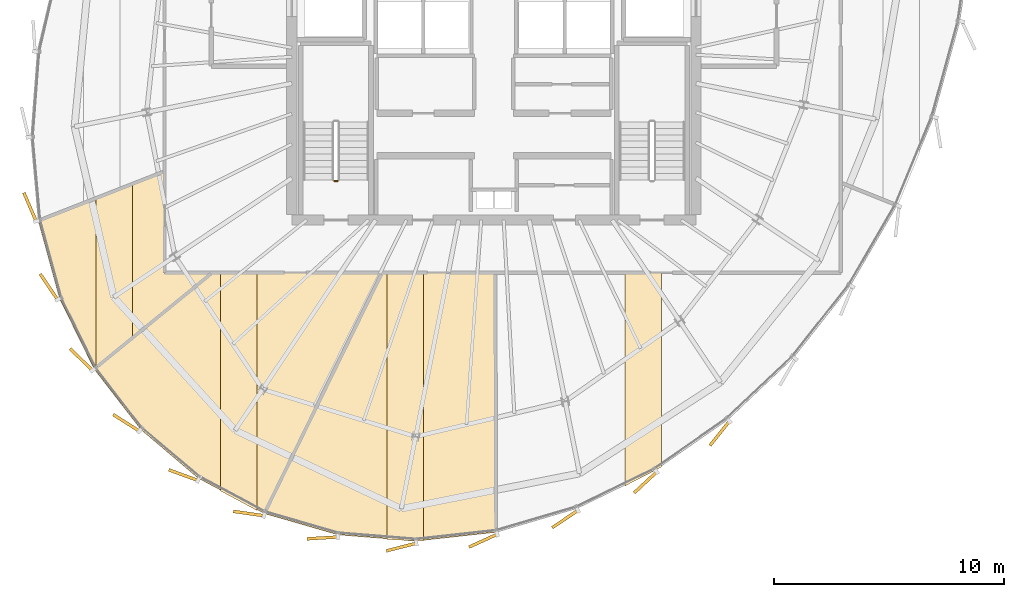
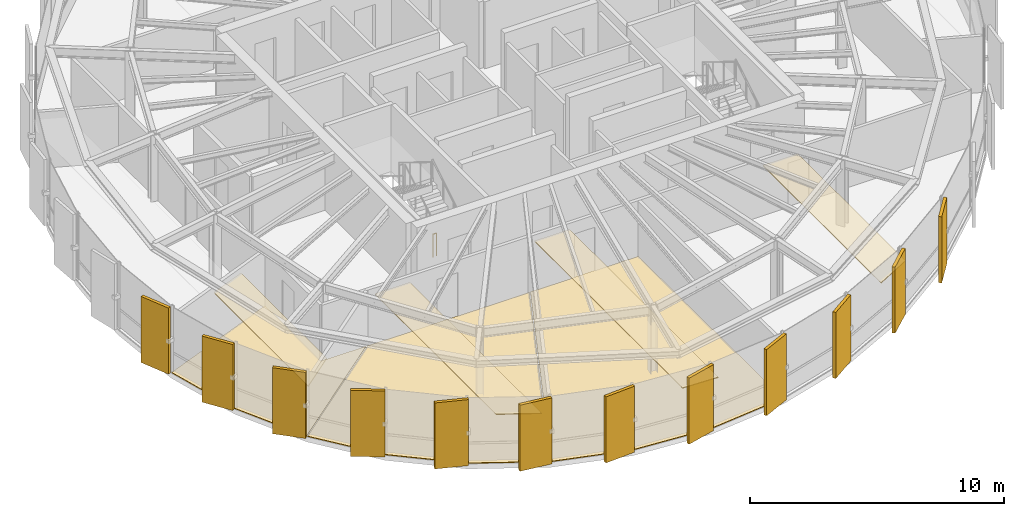
# One storey, part 31 of 34: 19 coverings, 1 railing.
"""IFC4 building model written with IfcOpenShell, lengths in metres."""

from ifc_helpers import new_model, si_unit, direction, frame, origin, origin_2d, place, context, subcontext, project, spatial, polyline, rectangle, circle, outline, extrude, source, transform, mapped, material, layer, layer_set, type_object, element, save


model = new_model("IFC4")

# Units and contexts
model_context = context("Model", 3, precision=1e-05, world=origin(), true_north=direction((0.0, 1.0)))
body_context = subcontext(model_context, "Body", "Model", "MODEL_VIEW")
ifc_project = project(units=[si_unit("LENGTHUNIT", "METRE"), si_unit("AREAUNIT", "SQUARE_METRE"), si_unit("VOLUMEUNIT", "CUBIC_METRE"), si_unit("PLANEANGLEUNIT", "RADIAN"), si_unit("MASSUNIT", "GRAM", prefix="KILO"), si_unit("THERMODYNAMICTEMPERATUREUNIT", "KELVIN")], contexts=[model_context])

# Site, building, storey
site_placement = place(None, origin())
site = spatial("IfcSite", under=ifc_project, at=site_placement, CompositionType="ELEMENT")
building_placement = place(site_placement, origin())
building = spatial("IfcBuilding", under=site, at=building_placement, Name="Kethvar Cultural Tower", CompositionType="ELEMENT")
storey_placement = place(building_placement, frame((0.0, 0.0, 259.449951171875)))
storey = spatial("IfcBuildingStorey", under=building, at=storey_placement, Name="L68", CompositionType="ELEMENT", Elevation=259.449951171875)

# Coverings
ifc_material_1 = material(Name="Acoustic Mineral Fibre Ceiling")
ifc_layer_1 = layer(ifc_material_1, 0.0400390625, Name="Acoustic Mineral Fibre Ceiling")
ifc_layer_set_1 = layer_set([ifc_layer_1], Name="Acoustic Mineral Fibre Ceiling (40 mm)")
covering_type_1 = type_object("IfcCoveringType", Name="CV-ACOUSTIC-CEIL", PredefinedType="CEILING", material=ifc_layer_set_1)
covering_1_placement = place(storey_placement, frame((0.0, 0.0, 2.340087890625)))
element("IfcCovering", 1, at=covering_1_placement, inside=storey, type_object=covering_type_1, Name="L68 Room 01 Acoustic Ceiling Panel", PredefinedType="CEILING", context=body_context, shape_type="SweptSolid", body=[
    extrude(outline(polyline([(31.06396484375, 21.693603515625), (31.06396484375, 14.946533203125), (29.473876953125, 13.650390625), (29.473876953125, 21.07421875), (31.06396484375, 21.693603515625)])), origin(), (0.0, 0.0, 1.0), 0.0400390625),
])
covering_2_placement = place(storey_placement, frame((0.0, 0.0, 2.340087890625)))
element("IfcCovering", 2, at=covering_2_placement, inside=storey, type_object=covering_type_1, Name="L68 Room 02 Acoustic Ceiling Panel", PredefinedType="CEILING", context=body_context, shape_type="SweptSolid", body=[
    extrude(outline(polyline([(36.496826171875, 17.826904296875), (36.496826171875, 7.450927734375), (34.90673828125, 8.300048828125), (34.90673828125, 17.826904296875), (36.496826171875, 17.826904296875)])), origin(), (0.0, 0.0, 1.0), 0.0400390625),
])
covering_3_placement = place(storey_placement, frame((0.0, 0.0, 2.340087890625)))
element("IfcCovering", 3, at=covering_3_placement, inside=storey, type_object=covering_type_1, Name="L68 Room 03 Acoustic Ceiling Panel", PredefinedType="CEILING", context=body_context, shape_type="SweptSolid", body=[
    extrude(outline(polyline([(43.744384765625, 6.12548828125), (42.154296875, 6.18994140625), (42.154296875, 17.826904296875), (43.744384765625, 17.826904296875), (43.744384765625, 6.12548828125)])), origin(), (0.0, 0.0, 1.0), 0.0400390625),
])
covering_4_placement = place(storey_placement, frame((0.0, 0.0, 2.340087890625)))
element("IfcCovering", 4, at=covering_4_placement, inside=storey, type_object=covering_type_1, Name="L68 Room 04 Acoustic Ceiling Panel", PredefinedType="CEILING", context=body_context, shape_type="SweptSolid", body=[
    extrude(outline(polyline([(54.105712890625, 9.360107421875), (52.515625, 8.52734375), (52.515625, 17.826904296875), (54.105712890625, 17.826904296875), (54.105712890625, 9.360107421875)])), origin(), (0.0, 0.0, 1.0), 0.0400390625),
])
ifc_material_2 = material(Name="Honed Warm Limestone", Category="masonry")
ifc_layer_2 = layer(ifc_material_2, 0.030029296875, Name="Honed Warm Limestone", Category="masonry")
ifc_layer_set_2 = layer_set([ifc_layer_2], Name="Honed Warm Limestone (30 mm)")
covering_type_2 = type_object("IfcCoveringType", Name="CV-STONE-FLOOR", PredefinedType="FLOORING", material=ifc_layer_set_2)
covering_5_placement = place(storey_placement, origin())
element("IfcCovering", 5, at=covering_5_placement, inside=storey, type_object=covering_type_2, Name="L68 Room 01 Floor Finish", PredefinedType="FLOORING", context=body_context, shape_type="SweptSolid", body=[
    extrude(outline(polyline([(27.897705078125, 16.67431640625), (26.972412109375, 20.05712890625), (32.43994140625, 22.186279296875), (32.44140625, 17.79931640625), (34.485107421875, 17.787109375), (29.391357421875, 13.634521484375), (27.897705078125, 16.67431640625)])), origin(), (0.0, 0.0, 1.0), 0.030029296875),
])
covering_6_placement = place(storey_placement, origin())
element("IfcCovering", 6, at=covering_6_placement, inside=storey, type_object=covering_type_2, Name="L68 Room 02 Floor Finish", PredefinedType="FLOORING", context=body_context, shape_type="SweptSolid", body=[
    extrude(outline(polyline([(33.932373046875, 8.865966796875), (31.43359375, 10.984619140625), (29.412109375, 13.60009765625), (34.54833984375, 17.787109375), (41.8994140625, 17.787109375), (36.8056640625, 7.331298828125), (33.932373046875, 8.865966796875)])), origin(), (0.0, 0.0, 1.0), 0.030029296875),
])
covering_7_placement = place(storey_placement, origin())
element("IfcCovering", 7, at=covering_7_placement, inside=storey, type_object=covering_type_2, Name="L68 Room 03 Floor Finish", PredefinedType="FLOORING", context=body_context, shape_type="SweptSolid", body=[
    extrude(outline(polyline([(46.89990234375, 6.514404296875), (43.413818359375, 6.12939453125), (40.014892578125, 6.40087890625), (36.843017578125, 7.31640625), (41.944091796875, 17.787109375), (46.83642578125, 17.787109375), (46.89990234375, 6.514404296875)])), origin(), (0.0, 0.0, 1.0), 0.030029296875),
])

# Railing
ifc_material_3 = material(Name="Steel S355J2", Category="steel")
railing_type = type_object("IfcRailingType", Name="RL-STAIR-GUARD", PredefinedType="BALUSTRADE", material=ifc_material_3)
railing_placement = place(storey_placement, frame((40.0, 21.800048828125, 0.0)))
element("IfcRailing", 8, at=railing_placement, inside=storey, type_object=railing_type, Name="L68 ST-01 stair guard 4", PredefinedType="BALUSTRADE", context=body_context, shape_type="SweptSolid", body=[
    extrude(circle(Radius=0.02392578125, at=origin_2d()), frame((0.0, 0.0, 1.09619140625), z_axis=(-1.0, 0.0, 0.0), x_axis=(0.0, -1.0, 0.0)), (0.0, 0.0, 1.0), 0.159912109375),
    extrude(circle(Radius=0.02099609375, at=origin_2d()), origin(), (0.0, 0.0, 1.0), 1.072021484375),
    extrude(circle(Radius=0.02099609375, at=origin_2d()), frame((-0.159912109375, 0.0, 0.0)), (0.0, 0.0, 1.0), 1.072021484375),
])

# Coverings
ifc_material_4 = material(Name="Extruded Architectural Terracotta", Category="masonry")
ifc_layer_3 = layer(ifc_material_4, 0.135009765625, Name="Extruded Architectural Terracotta", Category="masonry")
ifc_layer_set_3 = layer_set([ifc_layer_3], Name="Extruded Architectural Terracotta (135 mm)")
covering_type_3 = type_object("IfcCoveringType", Name="Terracotta Facade Fin FIN-03", PredefinedType="CLADDING", material=ifc_layer_set_3)
shared_shape = source(origin(), body_context, "Body", "SweptSolid", [
    extrude(rectangle(XDim=1.35009765625, YDim=0.135009765625, at=origin_2d()), origin(), (0.0, 0.0, 1.0), 3.169921875),
])
for number, where, z_axis, x_axis, name in (
    (9, (26.604248046875, 20.668212890625, 0.02001953125), (0.0, 0.0, 1.0), (-0.395545502563, 0.918446381343, 0.0), "L68 Vertical Terracotta Fin 3.3"),
    (10, (27.427978515625, 17.190185546875, 0.02001953125), (0.0, 0.0, 1.0), (-0.561650242447, 0.827374767055, 0.0), "L68 Vertical Terracotta Fin 3.4"),
    (11, (28.837890625, 14.02587890625, 0.02001953125), (0.0, 0.0, 1.0), (-0.715692733704, 0.698415285431, 0.0), "L68 Vertical Terracotta Fin 3.5"),
    (12, (30.796875, 11.270263671875, 0.02001953125), (0.0, 0.0, 1.0), (-0.845355082426, 0.534204815232, 0.0), "L68 Vertical Terracotta Fin 3.6"),
    (13, (33.281005859375, 8.993896484375, 0.02001953125), (0.0, 0.0, 1.0), (-0.93903425786, 0.343823592217, 0.0), "L68 Vertical Terracotta Fin 4.1"),
    (14, (36.1240234375, 7.322265625, 0.02001953125), (0.0, 0.0, 1.0), (-0.990023657717, 0.140901231938, 0.0), "L68 Vertical Terracotta Fin 4.2"),
    (15, (39.3310546875, 6.260986328125, 0.02001953125), (0.0, 0.0, 1.0), (-0.998208638344, -0.059829042574, 0.0), "L68 Vertical Terracotta Fin 4.3"),
    (16, (42.768798828125, 5.863037109375, 0.02001953125), (0.0, 0.0, 1.0), (-0.969015731407, -0.246999012723, 0.0), "L68 Vertical Terracotta Fin 4.4"),
    (17, (46.328369140625, 6.140380859375, 0.02001953125), (0.0, 0.0, 1.0), (-0.9102505596, -0.41405786884, 0.0), "L68 Vertical Terracotta Fin 4.5"),
    (18, (49.8974609375, 7.082275390625, 0.02001953125), (0.0, 0.0, 1.0), (-0.829622703317, -0.558324430902, 0.0), "L68 Vertical Terracotta Fin 4.6"),
    (19, (53.39501953125, 8.677001953125, 0.02001953125), (0.0, 0.0, 1.0), (-0.732780470562, -0.680465121782, 0.0), "L68 Vertical Terracotta Fin 5.1"),
    (20, (56.627685546875, 10.8115234375, 0.02001953125), (0.0, 0.0, 1.0), (-0.623743186154, -0.781629348046, 0.0), "L68 Vertical Terracotta Fin 5.2"),
):
    element("IfcCovering", number, at=place(storey_placement, frame(where, z_axis=z_axis, x_axis=x_axis)), inside=storey, type_object=covering_type_3, Name=name, PredefinedType="CLADDING", context=body_context, shape_type="MappedRepresentation", body=[
        mapped(shared_shape, transform((0.0, 0.0, 0.0), scale=1.0)),
    ])

save(model, "model.ifc")
